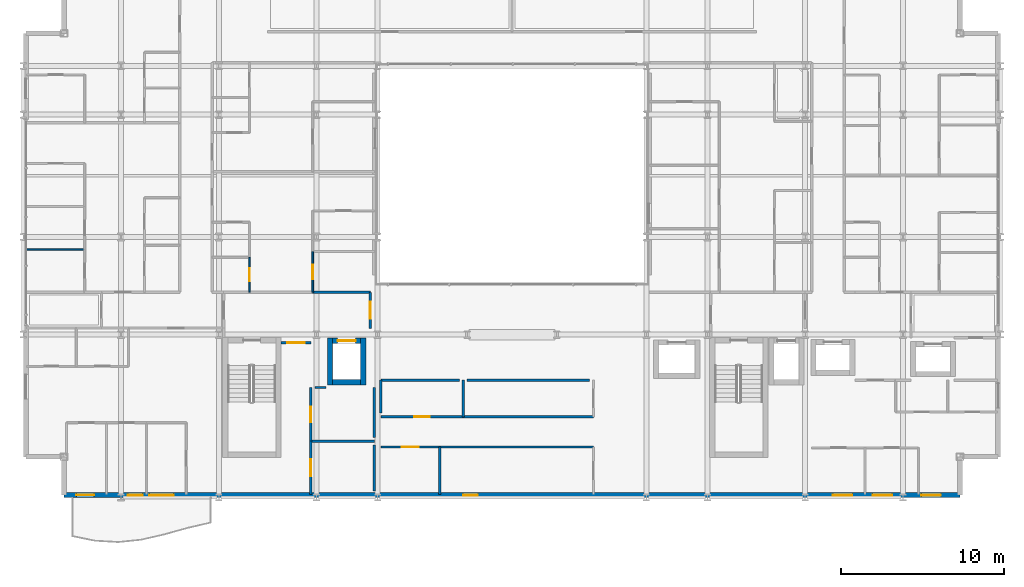
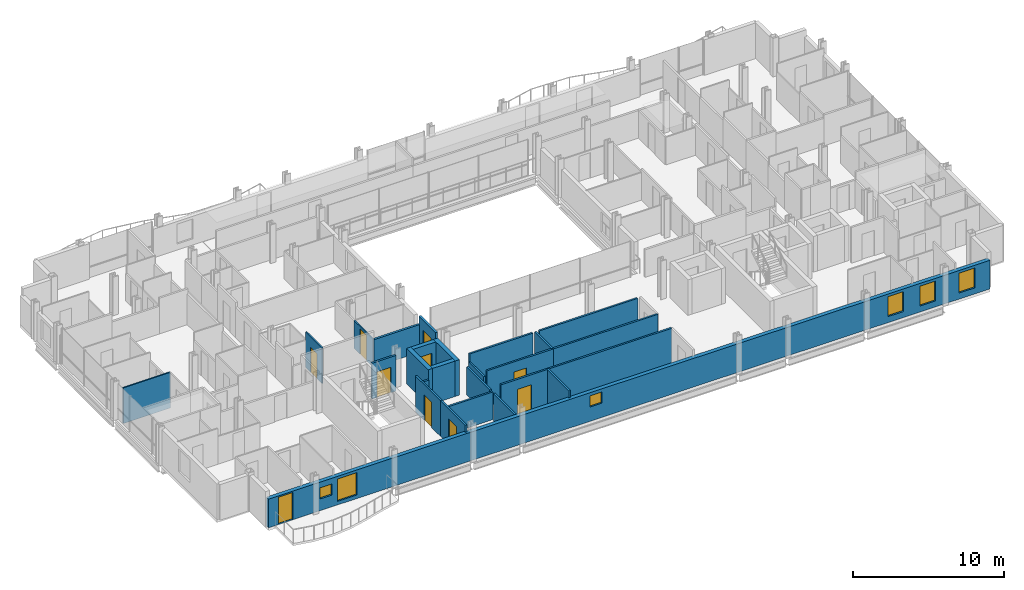
# One storey, part 32 of 41: 26 walls, 10 doors, 6 windows, 16 openings.
"""IFC4 building model written with IfcOpenShell, lengths in metres."""

from ifc_helpers import new_model, si_unit, direction, frame, frame_2d, origin, place, context, subcontext, project, spatial, rectangle, extrude, material, layer, layer_set, type_object, element, fill, save


model = new_model("IFC4")

# Units and contexts
model_context = context("Model", 3, precision=1e-05, world=origin(), true_north=direction((0.0, 1.0)))
body_context = subcontext(model_context, "Body", "Model", "MODEL_VIEW")
ifc_project = project(units=[si_unit("LENGTHUNIT", "METRE"), si_unit("AREAUNIT", "SQUARE_METRE"), si_unit("VOLUMEUNIT", "CUBIC_METRE"), si_unit("PLANEANGLEUNIT", "RADIAN"), si_unit("MASSUNIT", "GRAM", prefix="KILO")], contexts=[model_context])

# Site, building, storey
site_placement = place(None, origin())
site = spatial("IfcSite", under=ifc_project, at=site_placement, CompositionType="ELEMENT")
building_placement = place(site_placement, origin())
building = spatial("IfcBuilding", under=site, at=building_placement, Name="Brevholm Reach", CompositionType="ELEMENT")
storey_placement = place(building_placement, frame((0.0, 0.0, 43.5)))
storey = spatial("IfcBuildingStorey", under=building, at=storey_placement, Name="L11", CompositionType="ELEMENT", Elevation=43.5)

# Walls
ifc_material_1 = material(Name="Concrete C60/75", Category="concrete")
ifc_layer_1 = layer(ifc_material_1, 0.320068359375)
ifc_layer_set_1 = layer_set([ifc_layer_1], Name="Concrete C60/75")
wall_type_1 = type_object("IfcWallType", Name="WAL-COR-320", PredefinedType="SHEAR", material=ifc_layer_set_1)
for number, where, z_axis, x_axis, name in (
    (1, (18.830078125, 6.919921875, 0.0), (0.0, 0.0, 1.0), (0.0, 1.0, 0.0), "L11 Lift FFL-1 Shaft Wall W"),
    (2, (20.8701171875, 6.919921875, 0.0), (0.0, 0.0, 1.0), (0.0, 1.0, 0.0), "L11 Lift FFL-1 Shaft Wall E"),
):
    element("IfcWall", number, at=place(storey_placement, frame(where, z_axis=z_axis, x_axis=x_axis)), inside=storey, type_object=wall_type_1, Name=name, PredefinedType="SHEAR", context=body_context, shape_type="SweptSolid", body=[
        extrude(rectangle(XDim=2.860107421875, YDim=0.320068359375, at=frame_2d((1.43017578125, 0.0))), origin(), (0.0, 0.0, 1.0), 2.8701171875),
    ])
wall_1_placement = place(storey_placement, frame((18.989990234375, 7.080078125, 0.0), z_axis=(0.0, 0.0, 1.0), x_axis=(1.0, 0.0, 0.0)))
element("IfcWall", 3, at=wall_1_placement, inside=storey, type_object=wall_type_1, Name="L11 Lift FFL-1 Shaft Wall S", PredefinedType="SHEAR", context=body_context, shape_type="SweptSolid", body=[
    extrude(rectangle(XDim=1.719970703125, YDim=0.320068359375, at=frame_2d((0.85986328125, 0.0))), origin(), (0.0, 0.0, 1.0), 2.8701171875),
])

# Wall, opening, door
wall_2_placement = place(storey_placement, frame((18.989990234375, 9.6201171875, 0.0), z_axis=(0.0, 0.0, 1.0), x_axis=(1.0, 0.0, 0.0)))
wall_2 = element("IfcWall", 4, at=wall_2_placement, inside=storey, type_object=wall_type_1, Name="L11 Lift FFL-1 Shaft Wall N", PredefinedType="SHEAR", context=body_context, shape_type="SweptSolid", body=[
    extrude(rectangle(XDim=1.719970703125, YDim=0.320068359375, at=frame_2d((0.85986328125, 0.0))), origin(), (0.0, 0.0, 1.0), 2.8701171875),
])
opening_1_placement = place(wall_2_placement, frame((0.31005859375, 0.0, 0.0)))
opening_1 = element("IfcOpeningElement", 5, at=opening_1_placement, cuts=wall_2, Name="Opening LD-FFL-1", PredefinedType="OPENING", context=body_context, shape_type="SweptSolid", body=[
    extrude(rectangle(XDim=1.10009765625, YDim=2.06005859375, at=frame_2d((0.550048828125, 1.030029296875))), frame((0.0, 0.169921875, 0.0), z_axis=(0.0, -1.0, 0.0), x_axis=(1.0, 0.0, 0.0)), (0.0, 0.0, 1.0), 0.340087890625),
])
ifc_material_2 = material(Name="Brushed Stainless Steel Fire-Rated Sliding Lift Door", Category="steel")
door_type_1 = type_object("IfcDoorType", Name="DOR-LFT-1100", OperationType="NOTDEFINED", PredefinedType="DOOR", material=ifc_material_2)
door_1_placement = place(opening_1_placement, origin())
door_1 = element("IfcDoor", 6, at=door_1_placement, inside=storey, type_object=door_type_1, Name="L11 Lift FFL-1 Sliding Landing Door", OperationType="SLIDING_TO_LEFT", OverallHeight=2.06005859375, OverallWidth=1.10009765625, PredefinedType="DOOR", context=body_context, shape_type="SweptSolid", body=[
    extrude(rectangle(XDim=1.10009765625, YDim=2.06005859375, at=frame_2d((0.550048828125, 1.030029296875))), frame((0.0, 0.02490234375, 0.0), z_axis=(0.0, -1.0, 0.0), x_axis=(1.0, 0.0, 0.0)), (0.0, 0.0, 1.0), 0.050048828125),
])
fill(opening_1, door_1)

# Wall, openings, door, windows
ifc_material_3 = material(Name="Concrete C40/50", Category="concrete")
ifc_layer_2 = layer(ifc_material_3, 0.300048828125)
ifc_layer_set_2 = layer_set([ifc_layer_2], Name="Concrete C40/50")
wall_type_2 = type_object("IfcWallType", Name="WAL-EXT-300", PredefinedType="STANDARD", material=ifc_layer_set_2)
wall_3_placement = place(storey_placement, frame((2.5, 0.14990234375, 0.0), z_axis=(0.0, 0.0, 1.0), x_axis=(1.0, 0.0, 0.0)))
wall_3 = element("IfcWall", 7, at=wall_3_placement, inside=storey, type_object=wall_type_2, Name="L11 Facade Wall WAL-L11-S", PredefinedType="STANDARD", context=body_context, shape_type="SweptSolid", body=[
    extrude(rectangle(XDim=55.0, YDim=0.300048828125, at=frame_2d((27.5, 0.0))), origin(), (0.0, 0.0, 1.0), 2.305419921875),
])
opening_2_placement = place(wall_3_placement, frame((0.75, 0.0, 0.0)))
opening_2 = element("IfcOpeningElement", 8, at=opening_2_placement, cuts=wall_3, Name="Opening BD-01", PredefinedType="OPENING", context=body_context, shape_type="SweptSolid", body=[
    extrude(rectangle(XDim=1.10009765625, YDim=2.199951171875, at=frame_2d((0.550048828125, 1.10009765625))), frame((0.0, 0.159912109375, 0.0), z_axis=(0.0, -1.0, 0.0), x_axis=(1.0, 0.0, 0.0)), (0.0, 0.0, 1.0), 0.320068359375),
])
opening_3_placement = place(wall_3_placement, frame((5.22998046875, 0.0, 0.285888671875)))
opening_3 = element("IfcOpeningElement", 9, at=opening_3_placement, cuts=wall_3, Name="Opening WN-05", PredefinedType="OPENING", context=body_context, shape_type="SweptSolid", body=[
    extrude(rectangle(XDim=1.5, YDim=1.800048828125, at=frame_2d((0.75, 0.89990234375))), frame((0.0, 0.159912109375, 0.0), z_axis=(0.0, -1.0, 0.0), x_axis=(1.0, 0.0, 0.0)), (0.0, 0.0, 1.0), 0.320068359375),
])
opening_4_placement = place(wall_3_placement, frame((24.5, 0.0, 1.14990234375)))
opening_4 = element("IfcOpeningElement", 10, at=opening_4_placement, cuts=wall_3, Name="Opening WN-09", PredefinedType="OPENING", context=body_context, shape_type="SweptSolid", body=[
    extrude(rectangle(XDim=0.89990234375, YDim=0.89990234375, at=frame_2d((0.449951171875, 0.449951171875))), frame((0.0, 0.159912109375, 0.0), z_axis=(0.0, -1.0, 0.0), x_axis=(1.0, 0.0, 0.0)), (0.0, 0.0, 1.0), 0.320068359375),
])
opening_5_placement = place(wall_3_placement, frame((47.199951171875, 0.0, 0.486083984375)))
opening_5 = element("IfcOpeningElement", 11, at=opening_5_placement, cuts=wall_3, Name="Opening WN-08", PredefinedType="OPENING", context=body_context, shape_type="SweptSolid", body=[
    extrude(rectangle(XDim=1.199951171875, YDim=1.60009765625, at=frame_2d((0.60009765625, 0.800048828125))), frame((0.0, 0.159912109375, 0.0), z_axis=(0.0, -1.0, 0.0), x_axis=(1.0, 0.0, 0.0)), (0.0, 0.0, 1.0), 0.320068359375),
])
opening_6_placement = place(wall_3_placement, frame((52.6298828125, 0.0, 0.486083984375)))
opening_6 = element("IfcOpeningElement", 12, at=opening_6_placement, cuts=wall_3, Name="Opening WN-08", PredefinedType="OPENING", context=body_context, shape_type="SweptSolid", body=[
    extrude(rectangle(XDim=1.199951171875, YDim=1.60009765625, at=frame_2d((0.60009765625, 0.800048828125))), frame((0.0, 0.159912109375, 0.0), z_axis=(0.0, -1.0, 0.0), x_axis=(1.0, 0.0, 0.0)), (0.0, 0.0, 1.0), 0.320068359375),
])
opening_7_placement = place(wall_3_placement, frame((3.9208984375, 0.0, 0.949951171875)))
opening_7 = element("IfcOpeningElement", 13, at=opening_7_placement, cuts=wall_3, Name="Opening WN-09", PredefinedType="OPENING", context=body_context, shape_type="SweptSolid", body=[
    extrude(rectangle(XDim=0.89990234375, YDim=0.89990234375, at=frame_2d((0.449951171875, 0.449951171875))), frame((0.0, 0.159912109375, 0.0), z_axis=(0.0, -1.0, 0.0), x_axis=(1.0, 0.0, 0.0)), (0.0, 0.0, 1.0), 0.320068359375),
])
opening_8_placement = place(wall_3_placement, frame((49.6416015625, 0.0, 0.485595703125)))
opening_8 = element("IfcOpeningElement", 14, at=opening_8_placement, cuts=wall_3, Name="Opening WN-08", PredefinedType="OPENING", context=body_context, shape_type="SweptSolid", body=[
    extrude(rectangle(XDim=1.199951171875, YDim=1.60009765625, at=frame_2d((0.60009765625, 0.800048828125))), frame((0.0, 0.159912109375, 0.0), z_axis=(0.0, -1.0, 0.0), x_axis=(1.0, 0.0, 0.0)), (0.0, 0.0, 1.0), 0.320068359375),
])
ifc_material_4 = material(Name="Dark Anodised Aluminium and Triple-Glazed Glass", Category="aluminium")
door_type_2 = type_object("IfcDoorType", Name="DOR-BALC-1100", OperationType="NOTDEFINED", PredefinedType="DOOR", material=ifc_material_4)
door_2_placement = place(opening_2_placement, origin())
door_2 = element("IfcDoor", 15, at=door_2_placement, inside=storey, type_object=door_type_2, Name="L11 Exterior Door DOR-L11-BL-SW", OperationType="SINGLE_SWING_RIGHT", OverallHeight=2.199951171875, OverallWidth=1.10009765625, PredefinedType="DOOR", context=body_context, shape_type="SweptSolid", body=[
    extrude(rectangle(XDim=1.10009765625, YDim=2.199951171875, at=frame_2d((0.550048828125, 1.10009765625))), frame((0.0, 0.02490234375, 0.0), z_axis=(0.0, -1.0, 0.0), x_axis=(1.0, 0.0, 0.0)), (0.0, 0.0, 1.0), 0.050048828125),
])
fill(opening_2, door_2)
ifc_material_5 = material(Name="Dark Anodised Aluminium and Solar-Control IGU Glass", Category="aluminium")
window_type_1 = type_object("IfcWindowType", Name="WIN-POR-0900", PartitioningType="SINGLE_PANEL", PredefinedType="WINDOW", material=ifc_material_5)
window_1_placement = place(opening_4_placement, origin())
window_1 = element("IfcWindow", 16, at=window_1_placement, inside=storey, type_object=window_type_1, Name="L11 Window WIN-L11-S-POR", OverallHeight=0.89990234375, OverallWidth=0.89990234375, PartitioningType="SINGLE_PANEL", PredefinedType="WINDOW", context=body_context, shape_type="SweptSolid", body=[
    extrude(rectangle(XDim=0.89990234375, YDim=0.89990234375, at=frame_2d((0.449951171875, 0.449951171875))), frame((0.0, 0.030029296875, 0.0), z_axis=(0.0, -1.0, 0.0), x_axis=(1.0, 0.0, 0.0)), (0.0, 0.0, 1.0), 0.06005859375),
])
fill(opening_4, window_1)
window_2_placement = place(opening_7_placement, origin())
window_2 = element("IfcWindow", 17, at=window_2_placement, inside=storey, type_object=window_type_1, Name="L11 Bedroom Window 006", OverallHeight=0.89990234375, OverallWidth=0.89990234375, PartitioningType="SINGLE_PANEL", PredefinedType="WINDOW", context=body_context, shape_type="SweptSolid", body=[
    extrude(rectangle(XDim=0.89990234375, YDim=0.89990234375, at=frame_2d((0.449951171875, 0.449951171875))), frame((0.0, 0.030029296875, 0.0), z_axis=(0.0, -1.0, 0.0), x_axis=(1.0, 0.0, 0.0)), (0.0, 0.0, 1.0), 0.06005859375),
])
fill(opening_7, window_2)
ifc_material_6 = material(Name="Dark Anodised Aluminium and Solar-Control IGU Glass", Category="aluminium")
window_type_2 = type_object("IfcWindowType", Name="WIN-RES-1200", PartitioningType="SINGLE_PANEL", PredefinedType="WINDOW", material=ifc_material_6)
window_3_placement = place(opening_5_placement, origin())
window_3 = element("IfcWindow", 18, at=window_3_placement, inside=storey, type_object=window_type_2, Name="L11 Window WIN-L11-S-E1", OverallHeight=1.60009765625, OverallWidth=1.199951171875, PartitioningType="SINGLE_PANEL", PredefinedType="WINDOW", context=body_context, shape_type="SweptSolid", body=[
    extrude(rectangle(XDim=1.199951171875, YDim=1.60009765625, at=frame_2d((0.60009765625, 0.800048828125))), frame((0.0, 0.030029296875, 0.0), z_axis=(0.0, -1.0, 0.0), x_axis=(1.0, 0.0, 0.0)), (0.0, 0.0, 1.0), 0.06005859375),
])
fill(opening_5, window_3)
window_4_placement = place(opening_6_placement, origin())
window_4 = element("IfcWindow", 19, at=window_4_placement, inside=storey, type_object=window_type_2, Name="L11 Window WIN-L11-S-E2", OverallHeight=1.60009765625, OverallWidth=1.199951171875, PartitioningType="SINGLE_PANEL", PredefinedType="WINDOW", context=body_context, shape_type="SweptSolid", body=[
    extrude(rectangle(XDim=1.199951171875, YDim=1.60009765625, at=frame_2d((0.60009765625, 0.800048828125))), frame((0.0, 0.030029296875, 0.0), z_axis=(0.0, -1.0, 0.0), x_axis=(1.0, 0.0, 0.0)), (0.0, 0.0, 1.0), 0.06005859375),
])
fill(opening_6, window_4)
window_5_placement = place(opening_8_placement, origin())
window_5 = element("IfcWindow", 20, at=window_5_placement, inside=storey, type_object=window_type_2, Name="L11 Bedroom Window 007", OverallHeight=1.60009765625, OverallWidth=1.199951171875, PartitioningType="SINGLE_PANEL", PredefinedType="WINDOW", context=body_context, shape_type="SweptSolid", body=[
    extrude(rectangle(XDim=1.199951171875, YDim=1.60009765625, at=frame_2d((0.60009765625, 0.800048828125))), frame((0.0, 0.030029296875, 0.0), z_axis=(0.0, -1.0, 0.0), x_axis=(1.0, 0.0, 0.0)), (0.0, 0.0, 1.0), 0.06005859375),
])
fill(opening_8, window_5)
ifc_material_7 = material(Name="Dark Anodised Aluminium and Solar-Control IGU Glass", Category="aluminium")
window_type_3 = type_object("IfcWindowType", Name="WIN-RES-1500", PartitioningType="SINGLE_PANEL", PredefinedType="WINDOW", material=ifc_material_7)
window_6_placement = place(opening_3_placement, origin())
window_6 = element("IfcWindow", 21, at=window_6_placement, inside=storey, type_object=window_type_3, Name="L11 Window WIN-L11-S-W1", OverallHeight=1.800048828125, OverallWidth=1.5, PartitioningType="SINGLE_PANEL", PredefinedType="WINDOW", context=body_context, shape_type="SweptSolid", body=[
    extrude(rectangle(XDim=1.5, YDim=1.800048828125, at=frame_2d((0.75, 0.89990234375))), frame((0.0, 0.030029296875, 0.0), z_axis=(0.0, -1.0, 0.0), x_axis=(1.0, 0.0, 0.0)), (0.0, 0.0, 1.0), 0.06005859375),
])
fill(opening_3, window_6)

# Wall
ifc_material_8 = material(Name="Moisture-Resistant Acoustic Gypsum Stud Partition 100 mm", Category="gypsum")
ifc_layer_3 = layer(ifc_material_8, 0.10009765625)
ifc_layer_set_3 = layer_set([ifc_layer_3], Name="Moisture-Resistant Acoustic Gypsum Stud Partition 100 mm")
wall_type_3 = type_object("IfcWallType", Name="WAL-PRT-100", PredefinedType="PARTITIONING", material=ifc_layer_set_3)
wall_4_placement = place(storey_placement, frame((0.199951171875, 15.235107421875, 0.0), z_axis=(0.0, 0.0, 1.0), x_axis=(1.0, 0.0, 0.0)))
element("IfcWall", 22, at=wall_4_placement, inside=storey, type_object=wall_type_3, Name="L11 Internal Partition 097", PredefinedType="PARTITIONING", context=body_context, shape_type="SweptSolid", body=[
    extrude(rectangle(XDim=3.572021484375, YDim=0.10009765625, at=frame_2d((1.7861328125, 0.0))), origin(), (0.0, 0.0, 1.0), 2.8701171875),
])

# Wall, opening, door
wall_5_placement = place(storey_placement, frame((13.888916015625, 12.60400390625, 0.0), z_axis=(0.0, 0.0, 1.0), x_axis=(0.0, 1.0, 0.0)))
wall_5 = element("IfcWall", 23, at=wall_5_placement, inside=storey, type_object=wall_type_3, Name="L11 Internal Partition 113", PredefinedType="PARTITIONING", context=body_context, shape_type="SweptSolid", body=[
    extrude(rectangle(XDim=2.14599609375, YDim=0.10009765625, at=frame_2d((1.072998046875, 0.0))), origin(), (0.0, 0.0, 1.0), 2.8701171875),
])
opening_9_placement = place(wall_5_placement, frame((0.6630859375, 0.0, 0.0)))
opening_9 = element("IfcOpeningElement", 24, at=opening_9_placement, cuts=wall_5, Name="Opening ID-03", PredefinedType="OPENING", context=body_context, shape_type="SweptSolid", body=[
    extrude(rectangle(XDim=0.820068359375, YDim=2.02001953125, at=frame_2d((0.41015625, 1.010009765625))), frame((0.0, 0.06005859375, 0.0), z_axis=(0.0, -1.0, 0.0), x_axis=(1.0, 0.0, 0.0)), (0.0, 0.0, 1.0), 0.1201171875),
])
ifc_material_9 = material(Name="Moisture-Resistant Painted Timber Internal Bathroom Door", Category="wood")
door_type_3 = type_object("IfcDoorType", Name="DOR-BATH-820", OperationType="NOTDEFINED", PredefinedType="DOOR", material=ifc_material_9)
door_3_placement = place(opening_9_placement, origin())
door_3 = element("IfcDoor", 25, at=door_3_placement, inside=storey, type_object=door_type_3, Name="L11 Internal Door 042", OperationType="SINGLE_SWING_LEFT", OverallHeight=2.02001953125, OverallWidth=0.820068359375, PredefinedType="DOOR", context=body_context, shape_type="SweptSolid", body=[
    extrude(rectangle(XDim=0.820068359375, YDim=2.02001953125, at=frame_2d((0.41015625, 1.010009765625))), frame((0.0, 0.02490234375, 0.0), z_axis=(0.0, -1.0, 0.0), x_axis=(1.0, 0.0, 0.0)), (0.0, 0.0, 1.0), 0.050048828125),
])
fill(opening_9, door_3)

wall_6_placement = place(storey_placement, frame((17.76904296875, 12.60400390625, 0.0), z_axis=(0.0, 0.0, 1.0), x_axis=(0.0, 1.0, 0.0)))
wall_6 = element("IfcWall", 26, at=wall_6_placement, inside=storey, type_object=wall_type_3, Name="L11 Internal Partition 117", PredefinedType="PARTITIONING", context=body_context, shape_type="SweptSolid", body=[
    extrude(rectangle(XDim=2.49609375, YDim=0.10009765625, at=frame_2d((1.248046875, 0.0))), origin(), (0.0, 0.0, 1.0), 2.224853515625),
])
opening_10_placement = place(wall_6_placement, frame((0.80810546875, 0.0, 0.0)))
opening_10 = element("IfcOpeningElement", 27, at=opening_10_placement, cuts=wall_6, Name="Opening ID-01", PredefinedType="OPENING", context=body_context, shape_type="SweptSolid", body=[
    extrude(rectangle(XDim=0.8798828125, YDim=2.0400390625, at=frame_2d((0.43994140625, 1.02001953125))), frame((0.0, 0.06005859375, 0.0), z_axis=(0.0, -1.0, 0.0), x_axis=(1.0, 0.0, 0.0)), (0.0, 0.0, 1.0), 0.1201171875),
])
ifc_material_10 = material(Name="Lacquered Ash Solid-Core Acoustic Internal Door", Category="timber")
door_type_4 = type_object("IfcDoorType", Name="DOR-INT-880", OperationType="NOTDEFINED", PredefinedType="DOOR", material=ifc_material_10)
door_4_placement = place(opening_10_placement, origin())
door_4 = element("IfcDoor", 28, at=door_4_placement, inside=storey, type_object=door_type_4, Name="L11 Internal Door 044", OperationType="SINGLE_SWING_LEFT", OverallHeight=2.0400390625, OverallWidth=0.8798828125, PredefinedType="DOOR", context=body_context, shape_type="SweptSolid", body=[
    extrude(rectangle(XDim=0.8798828125, YDim=2.0400390625, at=frame_2d((0.43994140625, 1.02001953125))), frame((0.0, 0.02490234375, 0.0), z_axis=(0.0, -1.0, 0.0), x_axis=(1.0, 0.0, 0.0)), (0.0, 0.0, 1.0), 0.050048828125),
])
fill(opening_10, door_4)

ifc_material_11 = material(Name="Twin-Stud Acoustic Fire-Rated Gypsum Partition 140 mm", Category="gypsum")
ifc_layer_4 = layer(ifc_material_11, 0.139892578125)
ifc_layer_set_4 = layer_set([ifc_layer_4], Name="Twin-Stud Acoustic Fire-Rated Gypsum Partition 140 mm")
wall_type_4 = type_object("IfcWallType", Name="WAL-PRT-140", PredefinedType="PARTITIONING", material=ifc_layer_set_4)
wall_7_placement = place(storey_placement, frame((21.949951171875, 3.10009765625, 0.0), z_axis=(0.0, 0.0, 1.0), x_axis=(1.0, 0.0, 0.0)))
wall_7 = element("IfcWall", 29, at=wall_7_placement, inside=storey, type_object=wall_type_4, Name="L11 Internal Partition 003", PredefinedType="PARTITIONING", context=body_context, shape_type="SweptSolid", body=[
    extrude(rectangle(XDim=3.621337890625, YDim=0.139892578125, at=frame_2d((1.810546875, 0.0))), origin(), (0.0, 0.0, 1.0), 2.8701171875),
])
opening_11_placement = place(wall_7_placement, frame((1.28564453125, 0.0, 0.0)))
opening_11 = element("IfcOpeningElement", 30, at=opening_11_placement, cuts=wall_7, Name="Opening FD-01", PredefinedType="OPENING", context=body_context, shape_type="SweptSolid", body=[
    extrude(rectangle(XDim=1.050048828125, YDim=2.06005859375, at=frame_2d((0.52490234375, 1.030029296875))), frame((0.0, 0.079833984375, 0.0), z_axis=(0.0, -1.0, 0.0), x_axis=(1.0, 0.0, 0.0)), (0.0, 0.0, 1.0), 0.159912109375),
])
ifc_material_12 = material(Name="Hardwood-Lipped Steel-Core Fire and Smoke Door", Category="steel")
door_type_5 = type_object("IfcDoorType", Name="DOR-INT-FD60S", OperationType="NOTDEFINED", PredefinedType="DOOR", material=ifc_material_12)
door_5_placement = place(opening_11_placement, origin())
door_5 = element("IfcDoor", 31, at=door_5_placement, inside=storey, type_object=door_type_5, Name="L11 Internal Door 003", OperationType="SINGLE_SWING_RIGHT", OverallHeight=2.06005859375, OverallWidth=1.050048828125, PredefinedType="DOOR", context=body_context, shape_type="SweptSolid", body=[
    extrude(rectangle(XDim=1.050048828125, YDim=2.06005859375, at=frame_2d((0.52490234375, 1.030029296875))), frame((0.0, 0.02490234375, 0.0), z_axis=(0.0, -1.0, 0.0), x_axis=(1.0, 0.0, 0.0)), (0.0, 0.0, 1.0), 0.050048828125),
])
fill(opening_11, door_5)

# Wall
wall_8_placement = place(storey_placement, frame((25.552734375, 3.10009765625, 0.0), z_axis=(0.0, 0.0, 1.0), x_axis=(1.0, 0.0, 0.0)))
element("IfcWall", 32, at=wall_8_placement, inside=storey, type_object=wall_type_4, Name="L11 Internal Partition 004", PredefinedType="PARTITIONING", context=body_context, shape_type="SweptSolid", body=[
    extrude(rectangle(XDim=9.443359375, YDim=0.139892578125, at=frame_2d((4.7216796875, 0.0))), origin(), (0.0, 0.0, 1.0), 2.8701171875),
])

# Wall, opening, door
wall_9_placement = place(storey_placement, frame((21.949951171875, 4.949951171875, 0.0), z_axis=(0.0, 0.0, 1.0), x_axis=(1.0, 0.0, 0.0)))
wall_9 = element("IfcWall", 33, at=wall_9_placement, inside=storey, type_object=wall_type_4, Name="L11 Internal Partition 005", PredefinedType="PARTITIONING", context=body_context, shape_type="SweptSolid", body=[
    extrude(rectangle(XDim=5.0712890625, YDim=0.139892578125, at=frame_2d((2.53564453125, 0.0))), origin(), (0.0, 0.0, 1.0), 2.8701171875),
])
opening_12_placement = place(wall_9_placement, frame((2.060791015625, 0.0, 0.0)))
opening_12 = element("IfcOpeningElement", 34, at=opening_12_placement, cuts=wall_9, Name="Opening ID-30", PredefinedType="OPENING", context=body_context, shape_type="SweptSolid", body=[
    extrude(rectangle(XDim=0.949951171875, YDim=2.050048828125, at=frame_2d((0.47509765625, 1.02490234375))), frame((0.0, 0.079833984375, 0.0), z_axis=(0.0, -1.0, 0.0), x_axis=(1.0, 0.0, 0.0)), (0.0, 0.0, 1.0), 0.159912109375),
])
ifc_material_13 = material(Name="European Oak Veneered Solid-Core Fire Entrance Door", Category="timber")
door_type_6 = type_object("IfcDoorType", Name="DOR-FLT-FD30S", OperationType="NOTDEFINED", PredefinedType="DOOR", material=ifc_material_13)
door_6_placement = place(opening_12_placement, origin())
door_6 = element("IfcDoor", 35, at=door_6_placement, inside=storey, type_object=door_type_6, Name="L11 Internal Door 004", OperationType="SINGLE_SWING_LEFT", OverallHeight=2.050048828125, OverallWidth=0.949951171875, PredefinedType="DOOR", context=body_context, shape_type="SweptSolid", body=[
    extrude(rectangle(XDim=0.949951171875, YDim=2.050048828125, at=frame_2d((0.47509765625, 1.02490234375))), frame((0.0, 0.02490234375, 0.0), z_axis=(0.0, -1.0, 0.0), x_axis=(1.0, 0.0, 0.0)), (0.0, 0.0, 1.0), 0.050048828125),
])
fill(opening_12, door_6)

# Walls
wall_10_placement = place(storey_placement, frame((27.002685546875, 4.949951171875, 0.0), z_axis=(0.0, 0.0, 1.0), x_axis=(1.0, 0.0, 0.0)))
element("IfcWall", 36, at=wall_10_placement, inside=storey, type_object=wall_type_4, Name="L11 Internal Partition 006", PredefinedType="PARTITIONING", context=body_context, shape_type="SweptSolid", body=[
    extrude(rectangle(XDim=7.993408203125, YDim=0.139892578125, at=frame_2d((3.99658203125, 0.0))), origin(), (0.0, 0.0, 1.0), 2.8701171875),
])
wall_11_placement = place(storey_placement, frame((25.56005859375, 0.179931640625, 0.0), z_axis=(0.0, 0.0, 1.0), x_axis=(0.0, 1.0, 0.0)))
element("IfcWall", 37, at=wall_11_placement, inside=storey, type_object=wall_type_4, Name="L11 Internal Partition 007", PredefinedType="PARTITIONING", context=body_context, shape_type="SweptSolid", body=[
    extrude(rectangle(XDim=2.916015625, YDim=0.139892578125, at=frame_2d((1.4580078125, 0.0))), origin(), (0.0, 0.0, 1.0), 2.8701171875),
])
wall_12_placement = place(storey_placement, frame((27.010009765625, 4.9541015625, 0.0), z_axis=(0.0, 0.0, 1.0), x_axis=(0.0, 1.0, 0.0)))
element("IfcWall", 38, at=wall_12_placement, inside=storey, type_object=wall_type_4, Name="L11 Internal Partition 008", PredefinedType="PARTITIONING", context=body_context, shape_type="SweptSolid", body=[
    extrude(rectangle(XDim=2.245849609375, YDim=0.139892578125, at=frame_2d((1.123046875, 0.0))), origin(), (0.0, 0.0, 1.0), 2.8701171875),
])

# Wall, opening, door
wall_13_placement = place(storey_placement, frame((17.64990234375, 0.179931640625, 0.0), z_axis=(0.0, 0.0, 1.0), x_axis=(0.0, 1.0, 0.0)))
wall_13 = element("IfcWall", 39, at=wall_13_placement, inside=storey, type_object=wall_type_4, Name="L11 Internal Partition 009", PredefinedType="PARTITIONING", context=body_context, shape_type="SweptSolid", body=[
    extrude(rectangle(XDim=3.28125, YDim=0.139892578125, at=frame_2d((1.640625, 0.0))), origin(), (0.0, 0.0, 1.0), 2.8701171875),
])
opening_13_placement = place(wall_13_placement, frame((1.11572265625, 0.0, 0.0)))
opening_13 = element("IfcOpeningElement", 40, at=opening_13_placement, cuts=wall_13, Name="Opening FD-01", PredefinedType="OPENING", context=body_context, shape_type="SweptSolid", body=[
    extrude(rectangle(XDim=1.050048828125, YDim=2.06005859375, at=frame_2d((0.52490234375, 1.030029296875))), frame((0.0, 0.079833984375, 0.0), z_axis=(0.0, -1.0, 0.0), x_axis=(1.0, 0.0, 0.0)), (0.0, 0.0, 1.0), 0.159912109375),
])
door_7_placement = place(opening_13_placement, origin())
door_7 = element("IfcDoor", 41, at=door_7_placement, inside=storey, type_object=door_type_5, Name="L11 Internal Door 005", OperationType="SINGLE_SWING_RIGHT", OverallHeight=2.06005859375, OverallWidth=1.050048828125, PredefinedType="DOOR", context=body_context, shape_type="SweptSolid", body=[
    extrude(rectangle(XDim=1.050048828125, YDim=2.06005859375, at=frame_2d((0.52490234375, 1.030029296875))), frame((0.0, 0.02490234375, 0.0), z_axis=(0.0, -1.0, 0.0), x_axis=(1.0, 0.0, 0.0)), (0.0, 0.0, 1.0), 0.050048828125),
])
fill(opening_13, door_7)

wall_14_placement = place(storey_placement, frame((17.64990234375, 3.442626953125, 0.0), z_axis=(0.0, 0.0, 1.0), x_axis=(0.0, 1.0, 0.0)))
wall_14 = element("IfcWall", 42, at=wall_14_placement, inside=storey, type_object=wall_type_4, Name="L11 Internal Partition 010", PredefinedType="PARTITIONING", context=body_context, shape_type="SweptSolid", body=[
    extrude(rectangle(XDim=3.318603515625, YDim=0.139892578125, at=frame_2d((1.6591796875, 0.0))), origin(), (0.0, 0.0, 1.0), 2.8701171875),
])
opening_14_placement = place(wall_14_placement, frame((1.184326171875, 0.0, 0.0)))
opening_14 = element("IfcOpeningElement", 43, at=opening_14_placement, cuts=wall_14, Name="Opening ID-30", PredefinedType="OPENING", context=body_context, shape_type="SweptSolid", body=[
    extrude(rectangle(XDim=0.949951171875, YDim=2.050048828125, at=frame_2d((0.47509765625, 1.02490234375))), frame((0.0, 0.079833984375, 0.0), z_axis=(0.0, -1.0, 0.0), x_axis=(1.0, 0.0, 0.0)), (0.0, 0.0, 1.0), 0.159912109375),
])
door_8_placement = place(opening_14_placement, origin())
door_8 = element("IfcDoor", 44, at=door_8_placement, inside=storey, type_object=door_type_6, Name="L11 Internal Door 006", OperationType="SINGLE_SWING_LEFT", OverallHeight=2.050048828125, OverallWidth=0.949951171875, PredefinedType="DOOR", context=body_context, shape_type="SweptSolid", body=[
    extrude(rectangle(XDim=0.949951171875, YDim=2.050048828125, at=frame_2d((0.47509765625, 1.02490234375))), frame((0.0, 0.02490234375, 0.0), z_axis=(0.0, -1.0, 0.0), x_axis=(1.0, 0.0, 0.0)), (0.0, 0.0, 1.0), 0.050048828125),
])
fill(opening_14, door_8)

# Walls
wall_15_placement = place(storey_placement, frame((17.654052734375, 3.449951171875, 0.0), z_axis=(0.0, 0.0, 1.0), x_axis=(1.0, 0.0, 0.0)))
element("IfcWall", 45, at=wall_15_placement, inside=storey, type_object=wall_type_4, Name="L11 Internal Partition 012", PredefinedType="PARTITIONING", context=body_context, shape_type="SweptSolid", body=[
    extrude(rectangle(XDim=3.89599609375, YDim=0.139892578125, at=frame_2d((1.947998046875, 0.0))), origin(), (0.0, 0.0, 1.0), 2.224853515625),
])
wall_16_placement = place(storey_placement, frame((21.949951171875, 7.199951171875, 0.0), z_axis=(0.0, 0.0, 1.0), x_axis=(1.0, 0.0, 0.0)))
element("IfcWall", 46, at=wall_16_placement, inside=storey, type_object=wall_type_4, Name="L11 Internal Partition 160", PredefinedType="PARTITIONING", context=body_context, shape_type="SweptSolid", body=[
    extrude(rectangle(XDim=4.820068359375, YDim=0.139892578125, at=frame_2d((2.41015625, 0.0))), origin(), (0.0, 0.0, 1.0), 2.8701171875),
])
wall_17_placement = place(storey_placement, frame((21.949951171875, 5.18994140625, 0.0), z_axis=(0.0, 0.0, 1.0), x_axis=(0.0, 1.0, 0.0)))
element("IfcWall", 47, at=wall_17_placement, inside=storey, type_object=wall_type_4, Name="L11 Internal Partition 161", PredefinedType="PARTITIONING", context=body_context, shape_type="SweptSolid", body=[
    extrude(rectangle(XDim=2.010009765625, YDim=0.139892578125, at=frame_2d((1.0048828125, 0.0))), origin(), (0.0, 0.0, 1.0), 2.224853515625),
])
wall_18_placement = place(storey_placement, frame((27.25, 7.199951171875, 0.0), z_axis=(0.0, 0.0, 1.0), x_axis=(1.0, 0.0, 0.0)))
element("IfcWall", 48, at=wall_18_placement, inside=storey, type_object=wall_type_4, Name="L11 Internal Partition 162", PredefinedType="PARTITIONING", context=body_context, shape_type="SweptSolid", body=[
    extrude(rectangle(XDim=7.510009765625, YDim=0.139892578125, at=frame_2d((3.7548828125, 0.0))), origin(), (0.0, 0.0, 1.0), 2.8701171875),
])
wall_19_placement = place(storey_placement, frame((21.550048828125, 0.389892578125, 0.0), z_axis=(0.0, 0.0, 1.0), x_axis=(0.0, 1.0, 0.0)))
element("IfcWall", 49, at=wall_19_placement, inside=storey, type_object=wall_type_4, Name="L11 Internal Partition 163", PredefinedType="PARTITIONING", context=body_context, shape_type="SweptSolid", body=[
    extrude(rectangle(XDim=2.820068359375, YDim=0.139892578125, at=frame_2d((1.41015625, 0.0))), origin(), (0.0, 0.0, 1.0), 2.224853515625),
])
wall_20_placement = place(storey_placement, frame((21.550048828125, 3.68994140625, 0.0), z_axis=(0.0, 0.0, 1.0), x_axis=(0.0, 1.0, 0.0)))
element("IfcWall", 50, at=wall_20_placement, inside=storey, type_object=wall_type_4, Name="L11 Internal Partition 164", PredefinedType="PARTITIONING", context=body_context, shape_type="SweptSolid", body=[
    extrude(rectangle(XDim=3.06005859375, YDim=0.139892578125, at=frame_2d((1.530029296875, 0.0))), origin(), (0.0, 0.0, 1.0), 2.224853515625),
])
wall_21_placement = place(storey_placement, frame((17.889892578125, 6.75, 0.0), z_axis=(0.0, 0.0, 1.0), x_axis=(1.0, 0.0, 0.0)))
element("IfcWall", 51, at=wall_21_placement, inside=storey, type_object=wall_type_4, Name="L11 Internal Partition 165", PredefinedType="PARTITIONING", context=body_context, shape_type="SweptSolid", body=[
    extrude(rectangle(XDim=0.6884765625, YDim=0.139892578125, at=frame_2d((0.34423828125, 0.0))), origin(), (0.0, 0.0, 1.0), 2.224853515625),
])

# Wall, opening, door
ifc_material_14 = material(Name="Twin-Frame Fire-Rated Gypsum Board and Mineral Wool 160 mm", Category="gypsum")
ifc_layer_5 = layer(ifc_material_14, 0.159912109375)
ifc_layer_set_5 = layer_set([ifc_layer_5], Name="Twin-Frame Fire-Rated Gypsum Board and Mineral Wool 160 mm")
wall_type_5 = type_object("IfcWallType", Name="WAL-PRT-160", PredefinedType="PARTITIONING", material=ifc_layer_set_5)
wall_22_placement = place(storey_placement, frame((15.830078125, 9.5, 0.0), z_axis=(0.0, 0.0, 1.0), x_axis=(1.0, 0.0, 0.0)))
wall_22 = element("IfcWall", 52, at=wall_22_placement, inside=storey, type_object=wall_type_5, Name="L11 Internal Partition 011", PredefinedType="PARTITIONING", context=body_context, shape_type="SweptSolid", body=[
    extrude(rectangle(XDim=1.81982421875, YDim=0.159912109375, at=frame_2d((0.909912109375, 0.0))), origin(), (0.0, 0.0, 1.0), 2.8701171875),
])
opening_15_placement = place(wall_22_placement, frame((0.385009765625, 0.0, 0.0)))
opening_15 = element("IfcOpeningElement", 53, at=opening_15_placement, cuts=wall_22, Name="Opening FD-01", PredefinedType="OPENING", context=body_context, shape_type="SweptSolid", body=[
    extrude(rectangle(XDim=1.050048828125, YDim=2.06005859375, at=frame_2d((0.52490234375, 1.030029296875))), frame((0.0, 0.08984375, 0.0), z_axis=(0.0, -1.0, 0.0), x_axis=(1.0, 0.0, 0.0)), (0.0, 0.0, 1.0), 0.179931640625),
])
door_9_placement = place(opening_15_placement, origin())
door_9 = element("IfcDoor", 54, at=door_9_placement, inside=storey, type_object=door_type_5, Name="L11 Internal Door 007", OperationType="SINGLE_SWING_RIGHT", OverallHeight=2.06005859375, OverallWidth=1.050048828125, PredefinedType="DOOR", context=body_context, shape_type="SweptSolid", body=[
    extrude(rectangle(XDim=1.050048828125, YDim=2.06005859375, at=frame_2d((0.52490234375, 1.030029296875))), frame((0.0, 0.02490234375, 0.0), z_axis=(0.0, -1.0, 0.0), x_axis=(1.0, 0.0, 0.0)), (0.0, 0.0, 1.0), 0.050048828125),
])
fill(opening_15, door_9)

wall_23_placement = place(storey_placement, frame((21.300048828125, 10.388671875, 0.0), z_axis=(0.0, 0.0, 1.0), x_axis=(0.0, 1.0, 0.0)))
wall_23 = element("IfcWall", 55, at=wall_23_placement, inside=storey, type_object=wall_type_5, Name="L11 Internal Partition 019", PredefinedType="PARTITIONING", context=body_context, shape_type="SweptSolid", body=[
    extrude(rectangle(XDim=2.21142578125, YDim=0.159912109375, at=frame_2d((1.105712890625, 0.0))), origin(), (0.0, 0.0, 1.0), 2.8701171875),
])
opening_16_placement = place(wall_23_placement, frame((0.58056640625, 0.0, 0.0)))
opening_16 = element("IfcOpeningElement", 56, at=opening_16_placement, cuts=wall_23, Name="Opening FD-01", PredefinedType="OPENING", context=body_context, shape_type="SweptSolid", body=[
    extrude(rectangle(XDim=1.050048828125, YDim=2.06005859375, at=frame_2d((0.52490234375, 1.030029296875))), frame((0.0, 0.08984375, 0.0), z_axis=(0.0, -1.0, 0.0), x_axis=(1.0, 0.0, 0.0)), (0.0, 0.0, 1.0), 0.179931640625),
])
door_10_placement = place(opening_16_placement, origin())
door_10 = element("IfcDoor", 57, at=door_10_placement, inside=storey, type_object=door_type_5, Name="L11 Internal Door 012", OperationType="SINGLE_SWING_LEFT", OverallHeight=2.06005859375, OverallWidth=1.050048828125, PredefinedType="DOOR", context=body_context, shape_type="SweptSolid", body=[
    extrude(rectangle(XDim=1.050048828125, YDim=2.06005859375, at=frame_2d((0.52490234375, 1.030029296875))), frame((0.0, 0.02490234375, 0.0), z_axis=(0.0, -1.0, 0.0), x_axis=(1.0, 0.0, 0.0)), (0.0, 0.0, 1.0), 0.050048828125),
])
fill(opening_16, door_10)

# Wall
wall_24_placement = place(storey_placement, frame((17.7578125, 12.60009765625, 0.0), z_axis=(0.0, 0.0, 1.0), x_axis=(1.0, 0.0, 0.0)))
element("IfcWall", 58, at=wall_24_placement, inside=storey, type_object=wall_type_5, Name="L11 Internal Partition 022", PredefinedType="PARTITIONING", context=body_context, shape_type="SweptSolid", body=[
    extrude(rectangle(XDim=3.542236328125, YDim=0.159912109375, at=frame_2d((1.77099609375, 0.0))), origin(), (0.0, 0.0, 1.0), 2.224853515625),
])

save(model, "model.ifc")
